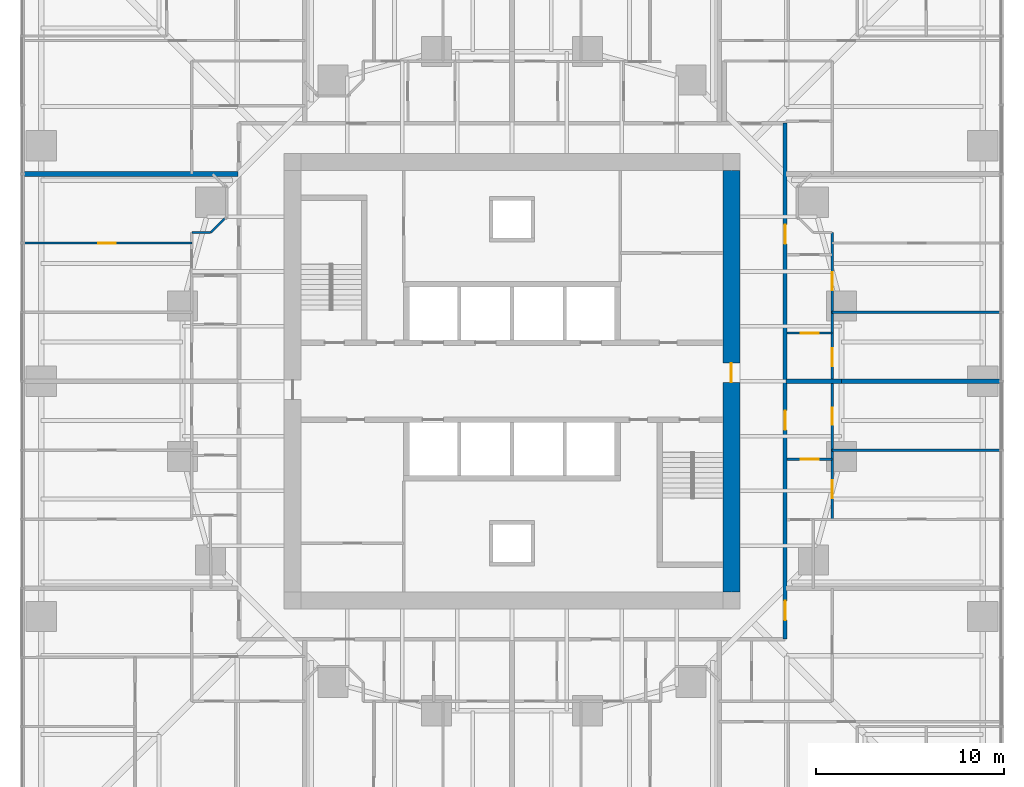
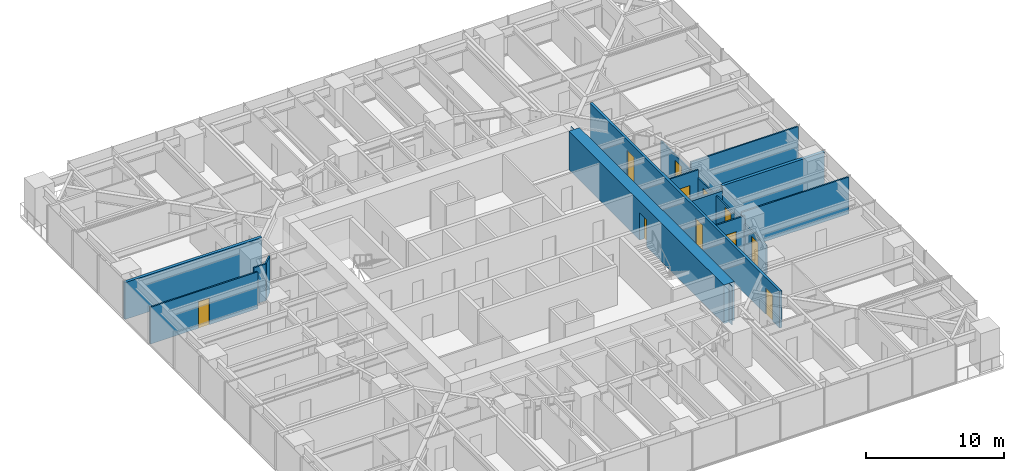
# One storey, part 11 of 17: 13 walls, 11 doors, 11 openings.
"""IFC4 building model written with IfcOpenShell, lengths in metres."""

import ifcopenshell
import ifcopenshell.guid

model = None  # the IFC model being written
_history = None  # IfcOwnerHistory: only IFC2X3 demands one
_inside = {}  # id of a spatial element -> (the spatial element, [elements in it])
_under = {}  # id of a project, library or spatial element -> (it, [spatial elements below it])
_declared = {}  # id of a project -> (the project, [libraries it declares])
_typed = {}  # id of a type object -> (the type object, [elements of that type])
_made_of = {}  # id of a material, layer set ... -> (it, [elements and type objects made of it])


def new_model(schema):
    """Start an empty IFC model of exactly this schema.

    Asked for "IFC4X3", IfcOpenShell would pick the latest addendum, in which some entities
    have other attributes; the version numbers below select the first issue.
    IFC2X3 requires an IfcOwnerHistory on every rooted entity: one is made here for all.
    """
    global model, _history
    if schema == "IFC4X3":
        model = ifcopenshell.file(schema_version=(4, 3, 0, 0))
    else:
        model = ifcopenshell.file(schema=schema)
    _inside.clear()
    _under.clear()
    _declared.clear()
    _typed.clear()
    _made_of.clear()
    _history = None
    if model.schema == "IFC2X3":
        org = make("IfcOrganization", Name="unknown")
        user = make(
            "IfcPersonAndOrganization",
            ThePerson=make("IfcPerson", FamilyName="unknown"),
            TheOrganization=org,
        )
        app = make(
            "IfcApplication",
            ApplicationDeveloper=org,
            Version="unknown",
            ApplicationFullName="unknown",
            ApplicationIdentifier="unknown",
        )
        _history = make(
            "IfcOwnerHistory",
            OwningUser=user,
            OwningApplication=app,
            ChangeAction="ADDED",
            CreationDate=0,
        )
    return model


def make(cls, **values):
    """One entity of the class cls with the attributes given. An attribute that is None is left unset."""
    return model.create_entity(
        cls, **{name: value for name, value in values.items() if value is not None}
    )


def rooted(cls, **values):
    """An entity with a GlobalId (a new one), such as an element, a storey or a relation."""
    return make(cls, GlobalId=ifcopenshell.guid.new(), OwnerHistory=_history, **values)


def si_unit(unit_type, name, prefix=None):
    """IfcSIUnit, for example si_unit("LENGTHUNIT", "METRE", prefix="MILLI")."""
    return make("IfcSIUnit", UnitType=unit_type, Prefix=prefix, Name=name)


def assignment(units):
    """IfcUnitAssignment: the units of a project."""
    return None if units is None else make("IfcUnitAssignment", Units=units)


def point(xyz):
    """IfcCartesianPoint."""
    return None if xyz is None else make("IfcCartesianPoint", Coordinates=xyz)


def direction(xyz):
    """IfcDirection."""
    return None if xyz is None else make("IfcDirection", DirectionRatios=xyz)


def frame(location, z_axis=None, x_axis=None):
    """IfcAxis2Placement3D, a coordinate frame: its origin and axes. An axis left out is left unset."""
    return make(
        "IfcAxis2Placement3D",
        Location=point(location),
        Axis=direction(z_axis),
        RefDirection=direction(x_axis),
    )


def frame_2d(location, x_axis=None):
    """IfcAxis2Placement2D, a coordinate frame in the plane: its origin and x axis."""
    return make(
        "IfcAxis2Placement2D", Location=point(location), RefDirection=direction(x_axis)
    )


def origin():
    """The frame at (0, 0, 0) with its axes left unset."""
    return frame((0.0, 0.0, 0.0))


def place(relative_to, where):
    """IfcLocalPlacement: puts the frame where relative to a parent placement (None: the world)."""
    return make(
        "IfcLocalPlacement", PlacementRelTo=relative_to, RelativePlacement=where
    )


def context(
    kind, dimensions, precision=None, world=None, true_north=None, identifier=None
):
    """IfcGeometricRepresentationContext, for example the 3D "Model" context."""
    return make(
        "IfcGeometricRepresentationContext",
        ContextIdentifier=identifier,
        ContextType=kind,
        CoordinateSpaceDimension=dimensions,
        Precision=precision,
        WorldCoordinateSystem=world,
        TrueNorth=true_north,
    )


def subcontext(parent, identifier, kind, view, scale=None):
    """IfcGeometricRepresentationSubContext, for example "Body" below "Model"."""
    return make(
        "IfcGeometricRepresentationSubContext",
        ContextIdentifier=identifier,
        ContextType=kind,
        ParentContext=parent,
        TargetScale=scale,
        TargetView=view,
    )


def project(units=None, contexts=None):
    """IfcProject with its units and contexts."""
    return rooted(
        "IfcProject",
        Name="project",
        RepresentationContexts=contexts,
        UnitsInContext=assignment(units),
    )


def spatial(cls, under=None, at=None, **own):
    """A site, building, storey or space (cls), placed at a placement, below another one or the project."""
    s = rooted(cls, ObjectPlacement=at, **own)
    if under is not None:
        _under.setdefault(under.id(), (under, []))[1].append(s)
    return s


def polyline(points):
    """IfcPolyline through the points."""
    return make("IfcPolyline", Points=[point(p) for p in points])


def profile(cls, at=None, kind="AREA", **sizes):
    """A parametric profile (cls). Its sizes go by their IFC names, for example OverallWidth=200.0."""
    return make(cls, ProfileType=kind, Position=at, **sizes)


def rectangle(**sizes):
    """IfcRectangleProfileDef."""
    return profile("IfcRectangleProfileDef", **sizes)


def outline(outer, holes=None, kind="AREA"):
    """IfcArbitraryClosedProfileDef: a profile drawn as a closed curve; with holes, ...WithVoids."""
    if holes is None:
        return make("IfcArbitraryClosedProfileDef", ProfileType=kind, OuterCurve=outer)
    return make(
        "IfcArbitraryProfileDefWithVoids",
        ProfileType=kind,
        OuterCurve=outer,
        InnerCurves=holes,
    )


def extrude(swept, where, along, depth):
    """IfcExtrudedAreaSolid: the profile swept, set in the frame where, extruded along a direction by depth."""
    return make(
        "IfcExtrudedAreaSolid",
        SweptArea=swept,
        Position=where,
        ExtrudedDirection=direction(along),
        Depth=depth,
    )


def shape(context_of_items, identifier, shape_type, items):
    """IfcShapeRepresentation: the items that make up one representation, for example the "Body"."""
    return make(
        "IfcShapeRepresentation",
        ContextOfItems=context_of_items,
        RepresentationIdentifier=identifier,
        RepresentationType=shape_type,
        Items=items,
    )


def material(Name=None, Category=None):
    """IfcMaterial."""
    return make("IfcMaterial", Name=Name, Category=Category)


def layer(
    of_material, thickness, ventilated=None, Name=None, Category=None, Priority=None
):
    """IfcMaterialLayer: one layer of a wall or slab, of a material (None: an air gap)."""
    return make(
        "IfcMaterialLayer",
        Material=of_material,
        LayerThickness=thickness,
        IsVentilated=ventilated,
        Name=Name,
        Category=Category,
        Priority=Priority,
    )


def layer_set(layers, Name=None):
    """IfcMaterialLayerSet."""
    return make("IfcMaterialLayerSet", MaterialLayers=layers, LayerSetName=Name)


def made_of(thing, what):
    """Note that an element or type object is made of a material, layer set ...; save() writes the relation."""
    if what is not None:
        _made_of.setdefault(what.id(), (what, []))[1].append(thing)
    return thing


def type_object(cls, material=None, **own):
    """A type object (cls), such as IfcWallType, which elements share."""
    return made_of(rooted(cls, **own), material)


def element(
    cls,
    number,
    at=None,
    inside=None,
    cuts=None,
    type_object=None,
    material=None,
    context=None,
    identifier="Body",
    shape_type=None,
    held_by="IfcProductDefinitionShape",
    body=None,
    shapes=None,
    **own,
):
    """One element of the class cls, such as IfcWall. Its Tag is "e" and its number.

    at: its placement. inside: the storey or other place that contains it. cuts: it is an
    opening in that element (IfcRelVoidsElement). A single representation is given by context,
    identifier, shape_type and body (its items); several are given by shapes. held_by: the class
    of the entity that holds the representations. save() writes the other relations.
    """
    e = rooted(cls, Tag="e%d" % number, ObjectPlacement=at, **own)
    if body is not None:
        shapes = [shape(context, identifier, shape_type, body)]
    if shapes is not None:
        e.Representation = make(held_by, Representations=shapes)
    if inside is not None:
        _inside.setdefault(inside.id(), (inside, []))[1].append(e)
    if cuts is not None:
        rooted(
            "IfcRelVoidsElement", RelatingBuildingElement=cuts, RelatedOpeningElement=e
        )
    if type_object is not None:
        _typed.setdefault(type_object.id(), (type_object, []))[1].append(e)
    return made_of(e, material)


def fill(opening, filler):
    """IfcRelFillsElement: the door or window that sits in an opening."""
    return rooted(
        "IfcRelFillsElement",
        RelatingOpeningElement=opening,
        RelatedBuildingElement=filler,
    )


def aggregate(whole, parts):
    """IfcRelAggregates: a whole, such as a stair, and the parts it consists of."""
    return rooted("IfcRelAggregates", RelatingObject=whole, RelatedObjects=parts)


def save(model, path):
    """Write the relations noted so far, then the file.

    IfcRelAggregates (storeys below a building ...), IfcRelContainedInSpatialStructure (elements
    in a storey), IfcRelDefinesByType, IfcRelAssociatesMaterial and IfcRelDeclares: one each for
    every whole, place, type object, material and project.
    """
    for whole, parts in _under.values():
        aggregate(whole, parts)
    for where, things in _inside.values():
        rooted(
            "IfcRelContainedInSpatialStructure",
            RelatedElements=things,
            RelatingStructure=where,
        )
    for kind, things in _typed.values():
        rooted("IfcRelDefinesByType", RelatedObjects=things, RelatingType=kind)
    for what, things in _made_of.values():
        rooted("IfcRelAssociatesMaterial", RelatedObjects=things, RelatingMaterial=what)
    for by, libraries in _declared.values():
        rooted("IfcRelDeclares", RelatingContext=by, RelatedDefinitions=libraries)
    model.write(path)


model = new_model("IFC4")

# Units and contexts
model_context = context("Model", 3, precision=1e-05, world=origin(), true_north=direction((0.0, 1.0)))
body_context = subcontext(model_context, "Body", "Model", "MODEL_VIEW")
ifc_project = project(units=[si_unit("LENGTHUNIT", "METRE"), si_unit("AREAUNIT", "SQUARE_METRE"), si_unit("VOLUMEUNIT", "CUBIC_METRE"), si_unit("PLANEANGLEUNIT", "RADIAN"), si_unit("MASSUNIT", "GRAM", prefix="KILO")], contexts=[model_context])

# Site, building, storey
site_placement = place(None, origin())
site = spatial("IfcSite", under=ifc_project, at=site_placement, CompositionType="ELEMENT")
building_placement = place(site_placement, origin())
building = spatial("IfcBuilding", under=site, at=building_placement, Name="Torsade Residences", CompositionType="ELEMENT")
storey_placement = place(building_placement, frame((0.0, 0.0, 18.39990234375)))
storey = spatial("IfcBuildingStorey", under=building, at=storey_placement, Name="L04", CompositionType="ELEMENT", Elevation=18.39990234375)

# Wall, opening, door
ifc_material_1 = material(Name="Concrete 80 MPa", Category="concrete")
ifc_layer_1 = layer(ifc_material_1, 0.89990234375)
ifc_layer_set_1 = layer_set([ifc_layer_1], Name="Concrete 80 MPa")
wall_type_1 = type_object("IfcWallType", Name="CORE WALL 900", PredefinedType="SHEAR", material=ifc_layer_set_1)
wall_1_placement = place(storey_placement, frame((51.64990234375, 18.800048828125, 0.0), z_axis=(0.0, 0.0, 1.0), x_axis=(0.0, 1.0, 0.0)))
wall_1 = element("IfcWall", 1, at=wall_1_placement, inside=storey, type_object=wall_type_1, Name="Core wall E L04", PredefinedType="SHEAR", context=body_context, shape_type="SweptSolid", body=[
    extrude(outline(polyline([(0.0, -0.449951171875), (22.39990234375, -0.449951171875), (22.39990234375, -0.02490234375), (22.849853515625, -0.02490234375), (22.849853515625, 0.02490234375), (22.39990234375, 0.02490234375), (22.39990234375, 0.449951171875), (0.0, 0.449951171875), (0.0, 0.02490234375), (-0.449951171875, 0.02490234375), (-0.449951171875, -0.02490234375), (0.0, -0.02490234375), (0.0, -0.449951171875)])), origin(), (0.0, 0.0, 1.0), 3.400146484375),
])
opening_1_placement = place(wall_1_placement, frame((11.139892578125, 0.0, 0.0)))
opening_1 = element("IfcOpeningElement", 2, at=opening_1_placement, cuts=wall_1, Name="Opening D04", PredefinedType="OPENING", context=body_context, shape_type="SweptSolid", body=[
    extrude(rectangle(XDim=1.02001953125, YDim=2.39990234375, at=frame_2d((0.510009765625, 1.199951171875))), frame((0.0, 0.4599609375, 0.0), z_axis=(0.0, -1.0, 0.0), x_axis=(1.0, 0.0, 0.0)), (0.0, 0.0, 1.0), 0.919921875),
])
ifc_material_2 = material(Name="Steel-framed fire door", Category="steel")
door_type_1 = type_object("IfcDoorType", Name="LOBBY SMOKE DOOR 1020x2400", OperationType="NOTDEFINED", PredefinedType="DOOR", material=ifc_material_2)
door_1_placement = place(opening_1_placement, origin())
door_1 = element("IfcDoor", 3, at=door_1_placement, inside=storey, type_object=door_type_1, Name="Lift lobby door E L04", OperationType="SINGLE_SWING_LEFT", OverallHeight=2.39990234375, OverallWidth=1.02001953125, PredefinedType="DOOR", context=body_context, shape_type="SweptSolid", body=[
    extrude(rectangle(XDim=1.02001953125, YDim=2.39990234375, at=frame_2d((0.510009765625, 1.199951171875))), frame((0.0, 0.02490234375, 0.0), z_axis=(0.0, -1.0, 0.0), x_axis=(1.0, 0.0, 0.0)), (0.0, 0.0, 1.0), 0.050048828125),
])
fill(opening_1, door_1)

# Wall, openings, doors
ifc_material_3 = material(Name="Plasterboard on steel stud", Category="steel")
ifc_layer_2 = layer(ifc_material_3, 0.199951171875)
ifc_layer_set_2 = layer_set([ifc_layer_2], Name="Plasterboard on steel stud")
wall_type_2 = type_object("IfcWallType", Name="CORRIDOR WALL 200", PredefinedType="PARTITIONING", material=ifc_layer_set_2)
wall_2_placement = place(storey_placement, frame((54.5, 16.300048828125, 0.0), z_axis=(0.0, 0.0, 1.0), x_axis=(0.0, 1.0, 0.0)))
wall_2 = element("IfcWall", 4, at=wall_2_placement, inside=storey, type_object=wall_type_2, Name="Corridor wall L04", PredefinedType="PARTITIONING", context=body_context, shape_type="SweptSolid", body=[
    extrude(rectangle(XDim=27.39990234375, YDim=0.199951171875, at=frame_2d((13.699951171875, 0.0))), origin(), (0.0, 0.0, 1.0), 3.25),
])
opening_2_placement = place(wall_2_placement, frame((20.998291015625, 0.0, 0.0)))
opening_2 = element("IfcOpeningElement", 5, at=opening_2_placement, cuts=wall_2, Name="Opening D01", PredefinedType="OPENING", context=body_context, shape_type="SweptSolid", body=[
    extrude(rectangle(XDim=1.02001953125, YDim=2.340087890625, at=frame_2d((0.510009765625, 1.169921875))), frame((0.0, 0.10986328125, 0.0), z_axis=(0.0, -1.0, 0.0), x_axis=(1.0, 0.0, 0.0)), (0.0, 0.0, 1.0), 0.219970703125),
])
opening_3_placement = place(wall_2_placement, frame((11.118896484375, 0.0, 0.0)))
opening_3 = element("IfcOpeningElement", 6, at=opening_3_placement, cuts=wall_2, Name="Opening D01", PredefinedType="OPENING", context=body_context, shape_type="SweptSolid", body=[
    extrude(rectangle(XDim=1.02001953125, YDim=2.340087890625, at=frame_2d((0.510009765625, 1.169921875))), frame((0.0, 0.10986328125, 0.0), z_axis=(0.0, -1.0, 0.0), x_axis=(1.0, 0.0, 0.0)), (0.0, 0.0, 1.0), 0.219970703125),
])
opening_4_placement = place(wall_2_placement, frame((1.014892578125, 0.0, 0.0)))
opening_4 = element("IfcOpeningElement", 7, at=opening_4_placement, cuts=wall_2, Name="Opening D01", PredefinedType="OPENING", context=body_context, shape_type="SweptSolid", body=[
    extrude(rectangle(XDim=1.02001953125, YDim=2.340087890625, at=frame_2d((0.510009765625, 1.169921875))), frame((0.0, 0.10986328125, 0.0), z_axis=(0.0, -1.0, 0.0), x_axis=(1.0, 0.0, 0.0)), (0.0, 0.0, 1.0), 0.219970703125),
])
ifc_material_4 = material(Name="Solid-core timber fire door", Category="wood")
door_type_2 = type_object("IfcDoorType", Name="APARTMENT ENTRY DOOR 1020x2340", OperationType="NOTDEFINED", PredefinedType="DOOR", material=ifc_material_4)
door_2_placement = place(opening_2_placement, origin())
door_2 = element("IfcDoor", 8, at=door_2_placement, inside=storey, type_object=door_type_2, Name="Door Residential corridor to Kitchen and dining", OperationType="SINGLE_SWING_LEFT", OverallHeight=2.340087890625, OverallWidth=1.02001953125, PredefinedType="DOOR", context=body_context, shape_type="SweptSolid", body=[
    extrude(rectangle(XDim=1.02001953125, YDim=2.340087890625, at=frame_2d((0.510009765625, 1.169921875))), frame((0.0, 0.02490234375, 0.0), z_axis=(0.0, -1.0, 0.0), x_axis=(1.0, 0.0, 0.0)), (0.0, 0.0, 1.0), 0.050048828125),
])
fill(opening_2, door_2)
door_3_placement = place(opening_3_placement, origin())
door_3 = element("IfcDoor", 9, at=door_3_placement, inside=storey, type_object=door_type_2, Name="Door Residential corridor to Kitchen and dining", OperationType="SINGLE_SWING_LEFT", OverallHeight=2.340087890625, OverallWidth=1.02001953125, PredefinedType="DOOR", context=body_context, shape_type="SweptSolid", body=[
    extrude(rectangle(XDim=1.02001953125, YDim=2.340087890625, at=frame_2d((0.510009765625, 1.169921875))), frame((0.0, 0.02490234375, 0.0), z_axis=(0.0, -1.0, 0.0), x_axis=(1.0, 0.0, 0.0)), (0.0, 0.0, 1.0), 0.050048828125),
])
fill(opening_3, door_3)
door_4_placement = place(opening_4_placement, origin())
door_4 = element("IfcDoor", 10, at=door_4_placement, inside=storey, type_object=door_type_2, Name="Door Residential corridor to Kitchen and dining", OperationType="SINGLE_SWING_LEFT", OverallHeight=2.340087890625, OverallWidth=1.02001953125, PredefinedType="DOOR", context=body_context, shape_type="SweptSolid", body=[
    extrude(rectangle(XDim=1.02001953125, YDim=2.340087890625, at=frame_2d((0.510009765625, 1.169921875))), frame((0.0, 0.02490234375, 0.0), z_axis=(0.0, -1.0, 0.0), x_axis=(1.0, 0.0, 0.0)), (0.0, 0.0, 1.0), 0.050048828125),
])
fill(opening_4, door_4)

# Wall, opening, door
ifc_material_5 = material(Name="Plasterboard on steel stud", Category="steel")
ifc_layer_3 = layer(ifc_material_5, 0.1201171875)
ifc_layer_set_3 = layer_set([ifc_layer_3], Name="Plasterboard on steel stud")
wall_type_3 = type_object("IfcWallType", Name="PARTITION 120", PredefinedType="PARTITIONING", material=ifc_layer_set_3)
wall_3_placement = place(storey_placement, frame((57.0, 25.85791015625, 0.0), z_axis=(0.0, 0.0, 1.0), x_axis=(-1.0, 0.0, 0.0)))
wall_3 = element("IfcWall", 11, at=wall_3_placement, inside=storey, type_object=wall_type_3, Name="Partition L04", PredefinedType="PARTITIONING", context=body_context, shape_type="SweptSolid", body=[
    extrude(rectangle(XDim=2.39990234375, YDim=0.1201171875, at=frame_2d((1.199951171875, 0.0))), origin(), (0.0, 0.0, 1.0), 3.25),
])
opening_5_placement = place(wall_3_placement, frame((0.719970703125, 0.0, 0.0)))
opening_5 = element("IfcOpeningElement", 12, at=opening_5_placement, cuts=wall_3, Name="Opening D05", PredefinedType="OPENING", context=body_context, shape_type="SweptSolid", body=[
    extrude(rectangle(XDim=0.9599609375, YDim=2.10009765625, at=frame_2d((0.47998046875, 1.050048828125))), frame((0.0, 0.070068359375, 0.0), z_axis=(0.0, -1.0, 0.0), x_axis=(1.0, 0.0, 0.0)), (0.0, 0.0, 1.0), 0.14013671875),
])
ifc_material_6 = material(Name="Hollow-core timber door in a steel cavity frame", Category="steel")
door_type_3 = type_object("IfcDoorType", Name="BATHROOM CAVITY SLIDING DOOR 960", OperationType="SLIDING_TO_LEFT", PredefinedType="DOOR", material=ifc_material_6)
door_5_placement = place(opening_5_placement, origin())
door_5 = element("IfcDoor", 13, at=door_5_placement, inside=storey, type_object=door_type_3, Name="Door Kitchen and dining to Ensuite", OperationType="SLIDING_TO_LEFT", OverallHeight=2.10009765625, OverallWidth=0.9599609375, PredefinedType="DOOR", context=body_context, shape_type="SweptSolid", body=[
    extrude(rectangle(XDim=0.9599609375, YDim=2.10009765625, at=frame_2d((0.47998046875, 1.050048828125))), frame((0.0, 0.02490234375, 0.0), z_axis=(0.0, -1.0, 0.0), x_axis=(1.0, 0.0, 0.0)), (0.0, 0.0, 1.0), 0.050048828125),
])
fill(opening_5, door_5)

# Wall, openings, doors
wall_4_placement = place(storey_placement, frame((57.0, 37.89990234375, 0.0), z_axis=(0.0, 0.0, 1.0), x_axis=(0.0, -1.0, 0.0)))
wall_4 = element("IfcWall", 14, at=wall_4_placement, inside=storey, type_object=wall_type_3, Name="Partition L04", PredefinedType="PARTITIONING", context=body_context, shape_type="SweptSolid", body=[
    extrude(rectangle(XDim=15.251220703125, YDim=0.1201171875, at=frame_2d((7.62548828125, 0.0))), origin(), (0.0, 0.0, 1.0), 2.550048828125),
])
opening_6_placement = place(wall_4_placement, frame((9.29833984375, 0.0, 0.0)))
opening_6 = element("IfcOpeningElement", 15, at=opening_6_placement, cuts=wall_4, Name="Opening D02", PredefinedType="OPENING", context=body_context, shape_type="SweptSolid", body=[
    extrude(rectangle(XDim=0.919921875, YDim=2.340087890625, at=frame_2d((0.4599609375, 1.169921875))), frame((0.0, 0.070068359375, 0.0), z_axis=(0.0, -1.0, 0.0), x_axis=(1.0, 0.0, 0.0)), (0.0, 0.0, 1.0), 0.14013671875),
])
opening_7_placement = place(wall_4_placement, frame((2.103515625, 0.0, 0.0)))
opening_7 = element("IfcOpeningElement", 16, at=opening_7_placement, cuts=wall_4, Name="Opening D05", PredefinedType="OPENING", context=body_context, shape_type="SweptSolid", body=[
    extrude(rectangle(XDim=0.9599609375, YDim=2.10009765625, at=frame_2d((0.47998046875, 1.050048828125))), frame((0.0, 0.070068359375, 0.0), z_axis=(0.0, -1.0, 0.0), x_axis=(1.0, 0.0, 0.0)), (0.0, 0.0, 1.0), 0.14013671875),
])
opening_8_placement = place(wall_4_placement, frame((13.166748046875, 0.0, 0.0)))
opening_8 = element("IfcOpeningElement", 17, at=opening_8_placement, cuts=wall_4, Name="Opening D05", PredefinedType="OPENING", context=body_context, shape_type="SweptSolid", body=[
    extrude(rectangle(XDim=0.9599609375, YDim=2.10009765625, at=frame_2d((0.47998046875, 1.050048828125))), frame((0.0, 0.070068359375, 0.0), z_axis=(0.0, -1.0, 0.0), x_axis=(1.0, 0.0, 0.0)), (0.0, 0.0, 1.0), 0.14013671875),
])
opening_9_placement = place(wall_4_placement, frame((6.142333984375, 0.0, 0.0)))
opening_9 = element("IfcOpeningElement", 18, at=opening_9_placement, cuts=wall_4, Name="Opening D05", PredefinedType="OPENING", context=body_context, shape_type="SweptSolid", body=[
    extrude(rectangle(XDim=0.9599609375, YDim=2.10009765625, at=frame_2d((0.47998046875, 1.050048828125))), frame((0.0, 0.070068359375, 0.0), z_axis=(0.0, -1.0, 0.0), x_axis=(1.0, 0.0, 0.0)), (0.0, 0.0, 1.0), 0.14013671875),
])
door_6_placement = place(opening_7_placement, origin())
door_6 = element("IfcDoor", 19, at=door_6_placement, inside=storey, type_object=door_type_3, Name="Door Bathroom to Bedroom 2", OperationType="SLIDING_TO_LEFT", OverallHeight=2.10009765625, OverallWidth=0.9599609375, PredefinedType="DOOR", context=body_context, shape_type="SweptSolid", body=[
    extrude(rectangle(XDim=0.9599609375, YDim=2.10009765625, at=frame_2d((0.47998046875, 1.050048828125))), frame((0.0, 0.02490234375, 0.0), z_axis=(0.0, -1.0, 0.0), x_axis=(1.0, 0.0, 0.0)), (0.0, 0.0, 1.0), 0.050048828125),
])
fill(opening_7, door_6)
door_7_placement = place(opening_8_placement, origin())
door_7 = element("IfcDoor", 20, at=door_7_placement, inside=storey, type_object=door_type_3, Name="Door Ensuite to Bedroom 2", OperationType="SLIDING_TO_LEFT", OverallHeight=2.10009765625, OverallWidth=0.9599609375, PredefinedType="DOOR", context=body_context, shape_type="SweptSolid", body=[
    extrude(rectangle(XDim=0.9599609375, YDim=2.10009765625, at=frame_2d((0.47998046875, 1.050048828125))), frame((0.0, 0.02490234375, 0.0), z_axis=(0.0, -1.0, 0.0), x_axis=(1.0, 0.0, 0.0)), (0.0, 0.0, 1.0), 0.050048828125),
])
fill(opening_8, door_7)
door_8_placement = place(opening_9_placement, origin())
door_8 = element("IfcDoor", 21, at=door_8_placement, inside=storey, type_object=door_type_3, Name="Door Ensuite to Living room", OperationType="SLIDING_TO_LEFT", OverallHeight=2.10009765625, OverallWidth=0.9599609375, PredefinedType="DOOR", context=body_context, shape_type="SweptSolid", body=[
    extrude(rectangle(XDim=0.9599609375, YDim=2.10009765625, at=frame_2d((0.47998046875, 1.050048828125))), frame((0.0, 0.02490234375, 0.0), z_axis=(0.0, -1.0, 0.0), x_axis=(1.0, 0.0, 0.0)), (0.0, 0.0, 1.0), 0.050048828125),
])
fill(opening_9, door_8)
ifc_material_7 = material(Name="Hollow-core timber door", Category="wood")
door_type_4 = type_object("IfcDoorType", Name="INTERNAL DOOR 920x2340", OperationType="NOTDEFINED", PredefinedType="DOOR", material=ifc_material_7)
door_9_placement = place(opening_6_placement, origin())
door_9 = element("IfcDoor", 22, at=door_9_placement, inside=storey, type_object=door_type_4, Name="Door Kitchen and dining to Bedroom 1", OperationType="SINGLE_SWING_RIGHT", OverallHeight=2.340087890625, OverallWidth=0.919921875, PredefinedType="DOOR", context=body_context, shape_type="SweptSolid", body=[
    extrude(rectangle(XDim=0.919921875, YDim=2.340087890625, at=frame_2d((0.4599609375, 1.169921875))), frame((0.0, 0.02490234375, 0.0), z_axis=(0.0, -1.0, 0.0), x_axis=(1.0, 0.0, 0.0)), (0.0, 0.0, 1.0), 0.050048828125),
])
fill(opening_6, door_9)

# Wall
wall_5_placement = place(storey_placement, frame((65.9599609375, 26.333251953125, 0.0), z_axis=(0.0, 0.0, 1.0), x_axis=(-1.0, 0.0, 0.0)))
element("IfcWall", 23, at=wall_5_placement, inside=storey, type_object=wall_type_3, Name="Partition L04", PredefinedType="PARTITIONING", context=body_context, shape_type="SweptSolid", body=[
    extrude(rectangle(XDim=8.9599609375, YDim=0.1201171875, at=frame_2d((4.47998046875, 0.0))), origin(), (0.0, 0.0, 1.0), 3.25),
])

# Wall, opening, door
wall_6_placement = place(storey_placement, frame((57.0, 32.555419921875, 0.0), z_axis=(0.0, 0.0, 1.0), x_axis=(-1.0, 0.0, 0.0)))
wall_6 = element("IfcWall", 24, at=wall_6_placement, inside=storey, type_object=wall_type_3, Name="Partition L04", PredefinedType="PARTITIONING", context=body_context, shape_type="SweptSolid", body=[
    extrude(rectangle(XDim=2.39990234375, YDim=0.1201171875, at=frame_2d((1.199951171875, 0.0))), origin(), (0.0, 0.0, 1.0), 3.25),
])
opening_10_placement = place(wall_6_placement, frame((0.719970703125, 0.0, 0.0)))
opening_10 = element("IfcOpeningElement", 25, at=opening_10_placement, cuts=wall_6, Name="Opening D05", PredefinedType="OPENING", context=body_context, shape_type="SweptSolid", body=[
    extrude(rectangle(XDim=0.9599609375, YDim=2.10009765625, at=frame_2d((0.47998046875, 1.050048828125))), frame((0.0, 0.070068359375, 0.0), z_axis=(0.0, -1.0, 0.0), x_axis=(1.0, 0.0, 0.0)), (0.0, 0.0, 1.0), 0.14013671875),
])
door_10_placement = place(opening_10_placement, origin())
door_10 = element("IfcDoor", 26, at=door_10_placement, inside=storey, type_object=door_type_3, Name="Door Bathroom to Ensuite", OperationType="SLIDING_TO_LEFT", OverallHeight=2.10009765625, OverallWidth=0.9599609375, PredefinedType="DOOR", context=body_context, shape_type="SweptSolid", body=[
    extrude(rectangle(XDim=0.9599609375, YDim=2.10009765625, at=frame_2d((0.47998046875, 1.050048828125))), frame((0.0, 0.02490234375, 0.0), z_axis=(0.0, -1.0, 0.0), x_axis=(1.0, 0.0, 0.0)), (0.0, 0.0, 1.0), 0.050048828125),
])
fill(opening_10, door_10)

# Walls
wall_7_placement = place(storey_placement, frame((57.0, 33.666748046875, 0.0), z_axis=(0.0, 0.0, 1.0), x_axis=(1.0, 0.0, 0.0)))
element("IfcWall", 27, at=wall_7_placement, inside=storey, type_object=wall_type_3, Name="Partition L04", PredefinedType="PARTITIONING", context=body_context, shape_type="SweptSolid", body=[
    extrude(rectangle(XDim=8.9599609375, YDim=0.1201171875, at=frame_2d((4.47998046875, 0.0))), origin(), (0.0, 0.0, 1.0), 3.25),
])
wall_8_placement = place(storey_placement, frame((23.0, 37.89990234375, 0.0), z_axis=(0.0, 0.0, 1.0), x_axis=(1.0, 0.0, 0.0)))
element("IfcWall", 28, at=wall_8_placement, inside=storey, type_object=wall_type_3, Name="Partition L04", PredefinedType="PARTITIONING", context=body_context, shape_type="SweptSolid", body=[
    extrude(rectangle(XDim=1.0, YDim=0.1201171875, at=frame_2d((0.5, 0.0))), origin(), (0.0, 0.0, 1.0), 3.25),
])
wall_9_placement = place(storey_placement, frame((24.0, 37.89990234375, 0.0), z_axis=(0.0, 0.0, 1.0), x_axis=(0.707106781187, 0.707106781187, 0.0)))
element("IfcWall", 29, at=wall_9_placement, inside=storey, type_object=wall_type_3, Name="Partition L04", PredefinedType="PARTITIONING", context=body_context, shape_type="SweptSolid", body=[
    extrude(rectangle(XDim=1.060546875, YDim=0.1201171875, at=frame_2d((0.5302734375, 0.0))), origin(), (0.0, 0.0, 1.0), 3.25),
])

# Wall, opening, door
wall_10_placement = place(storey_placement, frame((23.0, 37.333251953125, 0.0), z_axis=(0.0, 0.0, 1.0), x_axis=(-1.0, 0.0, 0.0)))
wall_10 = element("IfcWall", 30, at=wall_10_placement, inside=storey, type_object=wall_type_3, Name="Partition L04", PredefinedType="PARTITIONING", context=body_context, shape_type="SweptSolid", body=[
    extrude(rectangle(XDim=8.9599609375, YDim=0.1201171875, at=frame_2d((4.47998046875, 0.0))), origin(), (0.0, 0.0, 1.0), 3.25),
])
opening_11_placement = place(wall_10_placement, frame((4.0400390625, 0.0, 0.0)))
opening_11 = element("IfcOpeningElement", 31, at=opening_11_placement, cuts=wall_10, Name="Opening D02", PredefinedType="OPENING", context=body_context, shape_type="SweptSolid", body=[
    extrude(rectangle(XDim=0.919921875, YDim=2.340087890625, at=frame_2d((0.4599609375, 1.169921875))), frame((0.0, 0.070068359375, 0.0), z_axis=(0.0, -1.0, 0.0), x_axis=(1.0, 0.0, 0.0)), (0.0, 0.0, 1.0), 0.14013671875),
])
door_11_placement = place(opening_11_placement, origin())
door_11 = element("IfcDoor", 32, at=door_11_placement, inside=storey, type_object=door_type_4, Name="Door Bedroom 2 to Living room", OperationType="SINGLE_SWING_LEFT", OverallHeight=2.340087890625, OverallWidth=0.919921875, PredefinedType="DOOR", context=body_context, shape_type="SweptSolid", body=[
    extrude(rectangle(XDim=0.919921875, YDim=2.340087890625, at=frame_2d((0.4599609375, 1.169921875))), frame((0.0, 0.02490234375, 0.0), z_axis=(0.0, -1.0, 0.0), x_axis=(1.0, 0.0, 0.0)), (0.0, 0.0, 1.0), 0.050048828125),
])
fill(opening_11, door_11)

# Walls
ifc_material_8 = material(Name="Masonry-lined stud party wall", Category="masonry")
ifc_layer_4 = layer(ifc_material_8, 0.25)
ifc_layer_set_4 = layer_set([ifc_layer_4], Name="Masonry-lined stud party wall")
wall_type_4 = type_object("IfcWallType", Name="PARTY WALL 250", PredefinedType="PARTITIONING", material=ifc_layer_set_4)
wall_11_placement = place(storey_placement, frame((14.0, 41.0, 0.0), z_axis=(0.0, 0.0, 1.0), x_axis=(1.0, 0.0, 0.0)))
element("IfcWall", 33, at=wall_11_placement, inside=storey, type_object=wall_type_4, Name="Party wall L04", PredefinedType="PARTITIONING", context=body_context, shape_type="SweptSolid", body=[
    extrude(rectangle(XDim=11.43994140625, YDim=0.25, at=frame_2d((5.719970703125, 0.0))), origin(), (0.0, 0.0, 1.0), 3.25),
])
wall_12_placement = place(storey_placement, frame((66.0, 30.0, 0.0), z_axis=(0.0, 0.0, 1.0), x_axis=(-1.0, 0.0, 0.0)))
element("IfcWall", 34, at=wall_12_placement, inside=storey, type_object=wall_type_4, Name="Party wall L04", PredefinedType="PARTITIONING", context=body_context, shape_type="SweptSolid", body=[
    extrude(rectangle(XDim=8.5, YDim=0.25, at=frame_2d((4.25, 0.0))), origin(), (0.0, 0.0, 1.0), 3.25),
])
wall_13_placement = place(storey_placement, frame((57.5, 30.0, 0.0), z_axis=(0.0, 0.0, 1.0), x_axis=(-1.0, 0.0, 0.0)))
element("IfcWall", 35, at=wall_13_placement, inside=storey, type_object=wall_type_4, Name="Party wall L04", PredefinedType="PARTITIONING", context=body_context, shape_type="SweptSolid", body=[
    extrude(rectangle(XDim=2.93994140625, YDim=0.25, at=frame_2d((1.469970703125, 0.0))), origin(), (0.0, 0.0, 1.0), 2.795166015625),
])

save(model, "model.ifc")
